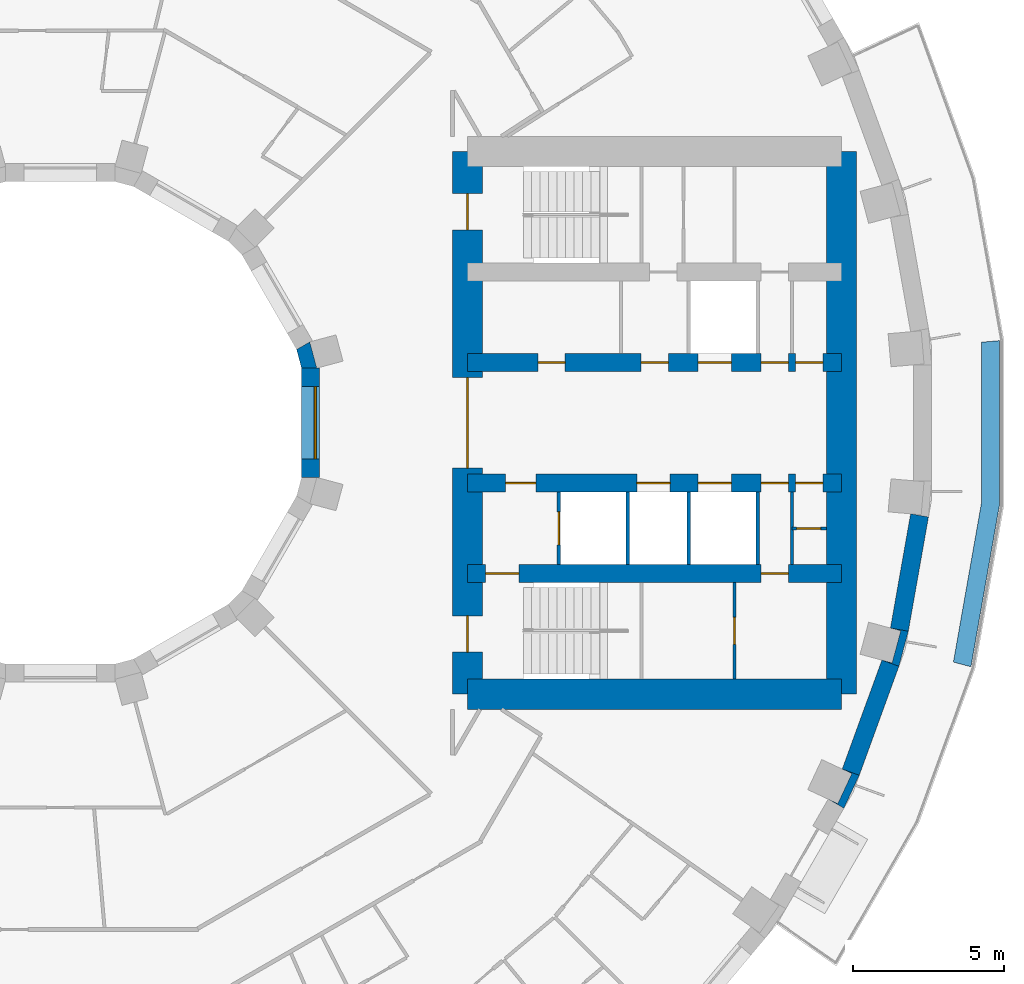
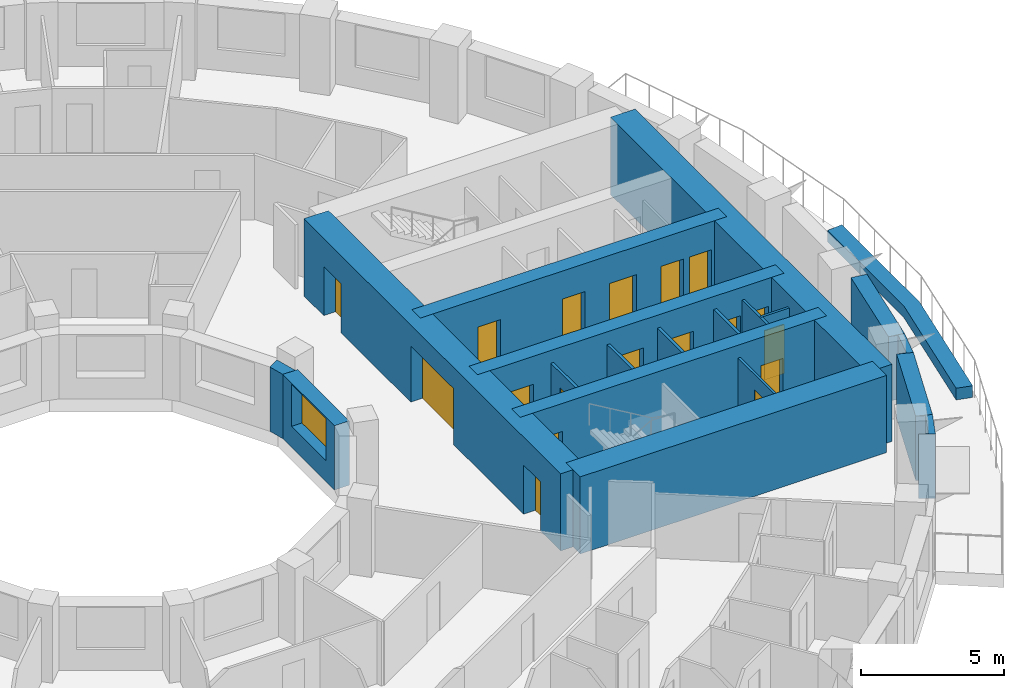
# One storey, part 7 of 14: 20 walls, 18 doors, 1 window, 19 openings.
"""IFC4 building model written with IfcOpenShell, lengths in metres."""

from ifc_helpers import new_model, si_unit, direction, frame, frame_2d, origin, place, context, subcontext, project, spatial, polyline, rectangle, outline, extrude, material, layer, layer_set, type_object, element, fill, save


model = new_model("IFC4")

# Units and contexts
model_context = context("Model", 3, precision=1e-05, world=origin(), true_north=direction((0.0, 1.0)))
body_context = subcontext(model_context, "Body", "Model", "MODEL_VIEW")
ifc_project = project(units=[si_unit("LENGTHUNIT", "METRE"), si_unit("AREAUNIT", "SQUARE_METRE"), si_unit("VOLUMEUNIT", "CUBIC_METRE"), si_unit("PLANEANGLEUNIT", "RADIAN"), si_unit("MASSUNIT", "GRAM", prefix="KILO")], contexts=[model_context])

# Site, building, storey
site_placement = place(None, origin())
site = spatial("IfcSite", under=ifc_project, at=site_placement, CompositionType="ELEMENT")
building_placement = place(site_placement, origin())
building = spatial("IfcBuilding", under=site, at=building_placement, Name="Saqina Gate Tower", CompositionType="ELEMENT")
storey_placement = place(building_placement, frame((0.0, 0.0, 46.10009765625)))
storey = spatial("IfcBuildingStorey", under=building, at=storey_placement, Name="L12", CompositionType="ELEMENT", Elevation=46.10009765625)

# Walls
ifc_material_1 = material(Name="Brick masonry (red)", Category="masonry")
wall_type_1 = type_object("IfcWallType", Name="BRICK PIER COPING RED", PredefinedType="SOLIDWALL", material=ifc_material_1)
wall_1_placement = place(storey_placement, origin())
element("IfcWall", 1, at=wall_1_placement, inside=storey, type_object=wall_type_1, Name="Pier cap L12 column 34", PredefinedType="SOLIDWALL", context=body_context, shape_type="SweptSolid", body=[
    extrude(outline(polyline([(26.48974609375, -11.687744140625), (25.92578125, -11.482666015625), (26.243408203125, -11.630615234375), (25.778564453125, -12.627685546875), (25.4609375, -12.4794921875), (25.980712890625, -12.779541015625), (26.48974609375, -11.687744140625)])), origin(), (0.0, 0.0, 1.0), 2.75),
])
wall_2_placement = place(storey_placement, origin())
element("IfcWall", 2, at=wall_2_placement, inside=storey, type_object=wall_type_1, Name="Pier cap L12 column 35", PredefinedType="SOLIDWALL", context=body_context, shape_type="SweptSolid", body=[
    extrude(outline(polyline([(28.11669921875, -6.910400390625), (27.52587890625, -6.80615234375), (27.864501953125, -6.896728515625), (27.57958984375, -7.95947265625), (27.2412109375, -7.86865234375), (27.80517578125, -8.073974609375), (28.11669921875, -6.910400390625)])), origin(), (0.0, 0.0, 1.0), 2.75),
])
ifc_material_2 = material(Name="Gypsum board on steel studs", Category="steel")
ifc_layer_1 = layer(ifc_material_2, 0.10009765625)
ifc_layer_set_1 = layer_set([ifc_layer_1], Name="CORE PARTITION")
wall_type_2 = type_object("IfcWallType", Name="CORE PARTITION", PredefinedType="PARTITIONING", material=ifc_layer_set_1)
wall_3_placement = place(storey_placement, frame((24.260009765625, -4.699951171875, 0.0), z_axis=(0.0, 0.0, 1.0), x_axis=(0.0, 1.0, 0.0)))
element("IfcWall", 3, at=wall_3_placement, inside=storey, type_object=wall_type_2, Name="L12-CP-E09", PredefinedType="PARTITIONING", context=body_context, shape_type="SweptSolid", body=[
    extrude(rectangle(XDim=2.39990234375, YDim=0.10009765625, at=frame_2d((1.199951171875, 0.0))), origin(), (0.0, 0.0, 1.0), 2.75),
])

# Wall, opening, door
wall_4_placement = place(storey_placement, frame((24.260009765625, -3.5, 0.0), z_axis=(0.0, 0.0, 1.0), x_axis=(1.0, 0.0, 0.0)))
wall_4 = element("IfcWall", 4, at=wall_4_placement, inside=storey, type_object=wall_type_2, Name="L12-CP-E10", PredefinedType="PARTITIONING", context=body_context, shape_type="SweptSolid", body=[
    extrude(rectangle(XDim=1.139892578125, YDim=0.10009765625, at=frame_2d((0.56982421875, 0.0))), origin(), (0.0, 0.0, 1.0), 2.75),
])
opening_1_placement = place(wall_4_placement, frame((0.14990234375, 0.0, 0.0)))
opening_1 = element("IfcOpeningElement", 5, at=opening_1_placement, cuts=wall_4, Name="Opening G03-D100", PredefinedType="OPENING", context=body_context, shape_type="SweptSolid", body=[
    extrude(rectangle(XDim=0.800048828125, YDim=2.10009765625, at=frame_2d((0.39990234375, 1.050048828125))), frame((0.0, 0.06201171875, 0.0), z_axis=(0.0, -1.0, 0.0), x_axis=(1.0, 0.0, 0.0)), (0.0, 0.0, 1.0), 0.1240234375),
])
ifc_material_3 = material(Name="Steel-framed fire door leaf, EI 60", Category="steel")
door_type_1 = type_object("IfcDoorType", Name="SERVICE ROOM DOOR 800", OperationType="SINGLE_SWING_LEFT", PredefinedType="DOOR", material=ifc_material_3)
door_1_placement = place(opening_1_placement, frame((0.800048828125, 0.0, 0.0), z_axis=(0.0, 0.0, 1.0), x_axis=(-1.0, 0.0, 0.0)))
door_1 = element("IfcDoor", 6, at=door_1_placement, inside=storey, type_object=door_type_1, Name="L12-CD-E11", OperationType="SINGLE_SWING_LEFT", OverallHeight=2.10009765625, OverallWidth=0.800048828125, PredefinedType="DOOR", context=body_context, shape_type="SweptSolid", body=[
    extrude(rectangle(XDim=0.800048828125, YDim=2.10009765625, at=frame_2d((0.39990234375, 1.050048828125))), frame((0.0, 0.02490234375, 0.0), z_axis=(0.0, -1.0, 0.0), x_axis=(1.0, 0.0, 0.0)), (0.0, 0.0, 1.0), 0.050048828125),
])
fill(opening_1, door_1)

wall_5_placement = place(storey_placement, frame((22.360107421875, -8.5, 0.0), z_axis=(0.0, 0.0, 1.0), x_axis=(0.0, 1.0, 0.0)))
wall_5 = element("IfcWall", 7, at=wall_5_placement, inside=storey, type_object=wall_type_2, Name="L12-CP-E15", PredefinedType="PARTITIONING", context=body_context, shape_type="SweptSolid", body=[
    extrude(rectangle(XDim=3.199951171875, YDim=0.10009765625, at=frame_2d((1.60009765625, 0.0))), origin(), (0.0, 0.0, 1.0), 2.75),
])
opening_2_placement = place(wall_5_placement, frame((1.14990234375, 0.0, 0.0)))
opening_2 = element("IfcOpeningElement", 8, at=opening_2_placement, cuts=wall_5, Name="Opening G03-D101", PredefinedType="OPENING", context=body_context, shape_type="SweptSolid", body=[
    extrude(rectangle(XDim=0.89990234375, YDim=2.10009765625, at=frame_2d((0.449951171875, 1.050048828125))), frame((0.0, 0.06201171875, 0.0), z_axis=(0.0, -1.0, 0.0), x_axis=(1.0, 0.0, 0.0)), (0.0, 0.0, 1.0), 0.1240234375),
])
ifc_material_4 = material(Name="Steel-framed fire door leaf, EI 60", Category="steel")
door_type_2 = type_object("IfcDoorType", Name="SERVICE ROOM DOOR 900", OperationType="SINGLE_SWING_LEFT", PredefinedType="DOOR", material=ifc_material_4)
door_2_placement = place(opening_2_placement, origin())
door_2 = element("IfcDoor", 9, at=door_2_placement, inside=storey, type_object=door_type_2, Name="L12-CD-E12", OperationType="SINGLE_SWING_LEFT", OverallHeight=2.10009765625, OverallWidth=0.89990234375, PredefinedType="DOOR", context=body_context, shape_type="SweptSolid", body=[
    extrude(rectangle(XDim=0.89990234375, YDim=2.10009765625, at=frame_2d((0.449951171875, 1.050048828125))), frame((0.0, 0.02490234375, 0.0), z_axis=(0.0, -1.0, 0.0), x_axis=(1.0, 0.0, 0.0)), (0.0, 0.0, 1.0), 0.050048828125),
])
fill(opening_2, door_2)

# Walls
ifc_material_5 = material(Name="Glazed ceramic tile", Category="ceramic")
ifc_layer_2 = layer(ifc_material_5, 0.60009765625)
ifc_layer_set_2 = layer_set([ifc_layer_2], Name="FW-TILE")
wall_type_3 = type_object("IfcWallType", Name="FW-TILE", PredefinedType="SOLIDWALL", material=ifc_layer_set_2)
wall_6_placement = place(storey_placement, frame((27.8212890625, -6.858154296875, 0.0), z_axis=(0.0, 0.0, 1.0), x_axis=(0.173687553279, 0.984800809218, 0.0)))
element("IfcWall", 10, at=wall_6_placement, inside=storey, type_object=wall_type_3, Name="Facade wall L12 facet 35", PredefinedType="SOLIDWALL", context=body_context, shape_type="SweptSolid", body=[
    extrude(rectangle(XDim=3.845703125, YDim=0.60009765625, at=frame_2d((1.9228515625, 0.0))), origin(), (0.0, 0.0, 1.0), 2.75),
])
ifc_material_6 = material(Name="Glazed ceramic tile (dark blue)", Category="ceramic")
ifc_layer_3 = layer(ifc_material_6, 0.60009765625)
ifc_layer_set_3 = layer_set([ifc_layer_3], Name="FW-TILE-CB")
wall_type_4 = type_object("IfcWallType", Name="FW-TILE-CB", PredefinedType="SOLIDWALL", material=ifc_layer_set_3)
wall_7_placement = place(storey_placement, frame((26.207763671875, -11.585205078125, 0.0), z_axis=(0.0, 0.0, 1.0), x_axis=(0.342028474173, 0.939689588564, 0.0)))
element("IfcWall", 11, at=wall_7_placement, inside=storey, type_object=wall_type_4, Name="Facade wall L12 facet 34", PredefinedType="SOLIDWALL", context=body_context, shape_type="SweptSolid", body=[
    extrude(rectangle(XDim=3.845947265625, YDim=0.60009765625, at=frame_2d((1.9228515625, 0.0))), origin(), (0.0, 0.0, 1.0), 2.75),
])

# Wall, opening, window
ifc_material_7 = material(Name="Glazed ceramic tile", Category="ceramic")
ifc_layer_4 = layer(ifc_material_7, 0.60009765625)
ifc_layer_set_4 = layer_set([ifc_layer_4], Name="IW-TILE")
wall_type_5 = type_object("IfcWallType", Name="IW-TILE", PredefinedType="SOLIDWALL", material=ifc_layer_set_4)
wall_8_placement = place(storey_placement, frame((8.300048828125, -1.8125, 0.0), z_axis=(0.0, 0.0, 1.0), x_axis=(0.0, 1.0, 0.0)))
wall_8 = element("IfcWall", 12, at=wall_8_placement, inside=storey, type_object=wall_type_5, Name="Well wall L12 facet 12", PredefinedType="SOLIDWALL", context=body_context, shape_type="SweptSolid", body=[
    extrude(rectangle(XDim=3.625, YDim=0.60009765625, at=frame_2d((1.8125, 0.0))), origin(), (0.0, 0.0, 1.0), 2.75),
])
opening_3_placement = place(wall_8_placement, frame((0.612548828125, 0.0, 0.89990234375)))
opening_3 = element("IfcOpeningElement", 13, at=opening_3_placement, cuts=wall_8, Name="Opening G03-W37", PredefinedType="OPENING", context=body_context, shape_type="SweptSolid", body=[
    extrude(rectangle(XDim=2.39990234375, YDim=1.800048828125, at=frame_2d((1.199951171875, 0.89990234375))), frame((0.0, 0.31201171875, 0.0), z_axis=(0.0, -1.0, 0.0), x_axis=(1.0, 0.0, 0.0)), (0.0, 0.0, 1.0), 0.6240234375),
])
ifc_material_8 = material(Name="Aluminium glazing", Category="aluminium")
window_type = type_object("IfcWindowType", Name="WN-W", PartitioningType="SINGLE_PANEL", PredefinedType="WINDOW", material=ifc_material_8)
window_placement = place(opening_3_placement, origin())
window = element("IfcWindow", 14, at=window_placement, inside=storey, type_object=window_type, Name="Well window L12 facet 12", OverallHeight=1.800048828125, OverallWidth=2.39990234375, PartitioningType="SINGLE_PANEL", PredefinedType="WINDOW", context=body_context, shape_type="SweptSolid", body=[
    extrude(rectangle(XDim=2.39990234375, YDim=1.800048828125, at=frame_2d((1.199951171875, 0.89990234375))), frame((0.0, -0.119873046875, 0.0), z_axis=(0.0, -1.0, 0.0), x_axis=(1.0, 0.0, 0.0)), (0.0, 0.0, 1.0), 0.06005859375),
])
fill(opening_3, window)

# Wall
ifc_material_9 = material(Name="Brick masonry (red)", Category="masonry")
ifc_layer_5 = layer(ifc_material_9, 0.60009765625)
ifc_layer_set_5 = layer_set([ifc_layer_5], Name="PL-PLANTER")
wall_type_6 = type_object("IfcWallType", Name="PL-PLANTER", PredefinedType="PARAPET", material=ifc_layer_set_5)
wall_9_placement = place(storey_placement, origin())
element("IfcWall", 15, at=wall_9_placement, inside=storey, type_object=wall_type_6, Name="Planter L12", PredefinedType="PARAPET", context=body_context, shape_type="SweptSolid", body=[
    extrude(outline(polyline([(30.193603515625, -8.09033203125), (31.1396484375, -2.724365234375), (31.1396484375, 2.724365234375), (30.53955078125, 2.671875), (30.53955078125, -2.671875), (29.61181640625, -7.934326171875), (30.193603515625, -8.09033203125)])), origin(), (0.0, 0.0, 1.0), 0.5),
])

# Wall, opening, door
ifc_material_10 = material(Name="Autoclaved aerated concrete block", Category="concrete")
ifc_layer_6 = layer(ifc_material_10, 0.1201171875)
ifc_layer_set_6 = layer_set([ifc_layer_6], Name="SHAFT PARTITION")
wall_type_7 = type_object("IfcWallType", Name="SHAFT PARTITION", PredefinedType="PARTITIONING", material=ifc_layer_set_6)
wall_10_placement = place(storey_placement, frame((16.530029296875, -4.699951171875, 0.0), z_axis=(0.0, 0.0, 1.0), x_axis=(0.0, 1.0, 0.0)))
wall_10 = element("IfcWall", 16, at=wall_10_placement, inside=storey, type_object=wall_type_7, Name="L12-CP-E05", PredefinedType="PARTITIONING", context=body_context, shape_type="SweptSolid", body=[
    extrude(rectangle(XDim=2.39990234375, YDim=0.1201171875, at=frame_2d((1.199951171875, 0.0))), origin(), (0.0, 0.0, 1.0), 2.75),
])
opening_4_placement = place(wall_10_placement, frame((0.64990234375, 0.0, 0.0)))
opening_4 = element("IfcOpeningElement", 17, at=opening_4_placement, cuts=wall_10, Name="Opening G03-LD2", PredefinedType="OPENING", context=body_context, shape_type="SweptSolid", body=[
    extrude(rectangle(XDim=1.10009765625, YDim=2.10009765625, at=frame_2d((0.550048828125, 1.050048828125))), frame((0.0, 0.072021484375, 0.0), z_axis=(0.0, -1.0, 0.0), x_axis=(1.0, 0.0, 0.0)), (0.0, 0.0, 1.0), 0.14404296875),
])
ifc_material_11 = material(Name="Stainless steel", Category="steel")
door_type_3 = type_object("IfcDoorType", Name="LANDING DOOR", OperationType="DOUBLE_DOOR_SLIDING", PredefinedType="DOOR", material=ifc_material_11)
door_3_placement = place(opening_4_placement, origin())
door_3 = element("IfcDoor", 18, at=door_3_placement, inside=storey, type_object=door_type_3, Name="LANDING DOOR FF1", OperationType="DOUBLE_DOOR_SLIDING", OverallHeight=2.10009765625, OverallWidth=1.10009765625, PredefinedType="DOOR", context=body_context, shape_type="SweptSolid", body=[
    extrude(rectangle(XDim=1.10009765625, YDim=2.10009765625, at=frame_2d((0.550048828125, 1.050048828125))), frame((0.0, 0.02490234375, 0.0), z_axis=(0.0, -1.0, 0.0), x_axis=(1.0, 0.0, 0.0)), (0.0, 0.0, 1.0), 0.050048828125),
])
fill(opening_4, door_3)

# Walls
for number, where, z_axis, x_axis, name in (
    (19, (18.81005859375, -4.699951171875, 0.0), (0.0, 0.0, 1.0), (0.0, 1.0, 0.0), "L12-CP-E06"),
    (20, (20.840087890625, -4.699951171875, 0.0), (0.0, 0.0, 1.0), (0.0, 1.0, 0.0), "L12-CP-E07"),
    (21, (23.1201171875, -4.699951171875, 0.0), (0.0, 0.0, 1.0), (0.0, 1.0, 0.0), "L12-CP-E08"),
):
    element("IfcWall", number, at=place(storey_placement, frame(where, z_axis=z_axis, x_axis=x_axis)), inside=storey, type_object=wall_type_7, Name=name, PredefinedType="PARTITIONING", context=body_context, shape_type="SweptSolid", body=[
        extrude(rectangle(XDim=2.39990234375, YDim=0.1201171875, at=frame_2d((1.199951171875, 0.0))), origin(), (0.0, 0.0, 1.0), 2.75),
    ])

# Wall, openings, doors
ifc_material_12 = material(Name="Concrete C70/85", Category="concrete")
ifc_layer_7 = layer(ifc_material_12, 0.60009765625)
ifc_layer_set_7 = layer_set([ifc_layer_7], Name="Concrete C70/85")
wall_type_8 = type_object("IfcWallType", Name="STR-CORE WALL-A-I", PredefinedType="SHEAR", material=ifc_layer_set_7)
wall_11_placement = place(storey_placement, frame((13.5, -5.0, 0.0), z_axis=(0.0, 0.0, 1.0), x_axis=(1.0, 0.0, 0.0)))
wall_11 = element("IfcWall", 22, at=wall_11_placement, inside=storey, type_object=wall_type_8, Name="CORE WALL L12 E-X2", PredefinedType="SHEAR", context=body_context, shape_type="SweptSolid", body=[
    extrude(rectangle(XDim=12.39990234375, YDim=0.60009765625, at=frame_2d((6.199951171875, 0.0))), origin(), (0.0, 0.0, 1.0), 3.2998046875),
])
opening_5_placement = place(wall_11_placement, frame((9.739990234375, 0.0, 0.0)))
opening_5 = element("IfcOpeningElement", 23, at=opening_5_placement, cuts=wall_11, Name="Opening G03-D102", PredefinedType="OPENING", context=body_context, shape_type="SweptSolid", body=[
    extrude(rectangle(XDim=0.89990234375, YDim=2.10009765625, at=frame_2d((0.449951171875, 1.050048828125))), frame((0.0, 0.31201171875, 0.0), z_axis=(0.0, -1.0, 0.0), x_axis=(1.0, 0.0, 0.0)), (0.0, 0.0, 1.0), 0.6240234375),
])
opening_6_placement = place(wall_11_placement, frame((0.60009765625, 0.0, 0.0)))
opening_6 = element("IfcOpeningElement", 24, at=opening_6_placement, cuts=wall_11, Name="Opening G03-D103", PredefinedType="OPENING", context=body_context, shape_type="SweptSolid", body=[
    extrude(rectangle(XDim=1.10009765625, YDim=2.10009765625, at=frame_2d((0.550048828125, 1.050048828125))), frame((0.0, 0.31201171875, 0.0), z_axis=(0.0, -1.0, 0.0), x_axis=(1.0, 0.0, 0.0)), (0.0, 0.0, 1.0), 0.6240234375),
])
ifc_material_13 = material(Name="Steel", Category="steel")
door_type_4 = type_object("IfcDoorType", Name="FIRE LOBBY DOOR EI 60 WIDE", OperationType="SINGLE_SWING_LEFT", PredefinedType="DOOR", material=ifc_material_13)
door_4_placement = place(opening_6_placement, frame((1.10009765625, 0.0, 0.0), z_axis=(0.0, 0.0, 1.0), x_axis=(-1.0, 0.0, 0.0)))
door_4 = element("IfcDoor", 25, at=door_4_placement, inside=storey, type_object=door_type_4, Name="L12-CD-E14", OperationType="SINGLE_SWING_RIGHT", OverallHeight=2.10009765625, OverallWidth=1.10009765625, PredefinedType="DOOR", context=body_context, shape_type="SweptSolid", body=[
    extrude(rectangle(XDim=1.10009765625, YDim=2.10009765625, at=frame_2d((0.550048828125, 1.050048828125))), frame((0.0, 0.02490234375, 0.0), z_axis=(0.0, -1.0, 0.0), x_axis=(1.0, 0.0, 0.0)), (0.0, 0.0, 1.0), 0.050048828125),
])
fill(opening_6, door_4)
door_5_placement = place(opening_5_placement, frame((0.89990234375, 0.0, 0.0), z_axis=(0.0, 0.0, 1.0), x_axis=(-1.0, 0.0, 0.0)))
door_5 = element("IfcDoor", 26, at=door_5_placement, inside=storey, type_object=door_type_2, Name="L12-CD-E13", OperationType="SINGLE_SWING_LEFT", OverallHeight=2.10009765625, OverallWidth=0.89990234375, PredefinedType="DOOR", context=body_context, shape_type="SweptSolid", body=[
    extrude(rectangle(XDim=0.89990234375, YDim=2.10009765625, at=frame_2d((0.449951171875, 1.050048828125))), frame((0.0, 0.02490234375, 0.0), z_axis=(0.0, -1.0, 0.0), x_axis=(1.0, 0.0, 0.0)), (0.0, 0.0, 1.0), 0.050048828125),
])
fill(opening_5, door_5)

wall_12_placement = place(storey_placement, frame((13.5, 2.0, 0.0), z_axis=(0.0, 0.0, 1.0), x_axis=(1.0, 0.0, 0.0)))
wall_12 = element("IfcWall", 27, at=wall_12_placement, inside=storey, type_object=wall_type_8, Name="CORE WALL L12 E-L1", PredefinedType="SHEAR", context=body_context, shape_type="SweptSolid", body=[
    extrude(rectangle(XDim=12.39990234375, YDim=0.60009765625, at=frame_2d((6.199951171875, 0.0))), origin(), (0.0, 0.0, 1.0), 3.2998046875),
])
opening_7_placement = place(wall_12_placement, frame((7.64990234375, 0.0, 0.0)))
opening_7 = element("IfcOpeningElement", 28, at=opening_7_placement, cuts=wall_12, Name="Opening G03-LD1", PredefinedType="OPENING", context=body_context, shape_type="SweptSolid", body=[
    extrude(rectangle(XDim=1.10009765625, YDim=2.10009765625, at=frame_2d((0.550048828125, 1.050048828125))), frame((0.0, 0.31201171875, 0.0), z_axis=(0.0, -1.0, 0.0), x_axis=(1.0, 0.0, 0.0)), (0.0, 0.0, 1.0), 0.6240234375),
])
opening_8_placement = place(wall_12_placement, frame((2.34130859375, 0.0, 0.0)))
opening_8 = element("IfcOpeningElement", 29, at=opening_8_placement, cuts=wall_12, Name="Opening G03-D90", PredefinedType="OPENING", context=body_context, shape_type="SweptSolid", body=[
    extrude(rectangle(XDim=0.89990234375, YDim=2.10009765625, at=frame_2d((0.449951171875, 1.050048828125))), frame((0.0, 0.31201171875, 0.0), z_axis=(0.0, -1.0, 0.0), x_axis=(1.0, 0.0, 0.0)), (0.0, 0.0, 1.0), 0.6240234375),
])
opening_9_placement = place(wall_12_placement, frame((5.761474609375, 0.0, 0.0)))
opening_9 = element("IfcOpeningElement", 30, at=opening_9_placement, cuts=wall_12, Name="Opening G03-D91", PredefinedType="OPENING", context=body_context, shape_type="SweptSolid", body=[
    extrude(rectangle(XDim=0.89990234375, YDim=2.10009765625, at=frame_2d((0.449951171875, 1.050048828125))), frame((0.0, 0.31201171875, 0.0), z_axis=(0.0, -1.0, 0.0), x_axis=(1.0, 0.0, 0.0)), (0.0, 0.0, 1.0), 0.6240234375),
])
opening_10_placement = place(wall_12_placement, frame((9.739990234375, 0.0, 0.0)))
opening_10 = element("IfcOpeningElement", 31, at=opening_10_placement, cuts=wall_12, Name="Opening G03-D92", PredefinedType="OPENING", context=body_context, shape_type="SweptSolid", body=[
    extrude(rectangle(XDim=0.89990234375, YDim=2.10009765625, at=frame_2d((0.449951171875, 1.050048828125))), frame((0.0, 0.31201171875, 0.0), z_axis=(0.0, -1.0, 0.0), x_axis=(1.0, 0.0, 0.0)), (0.0, 0.0, 1.0), 0.6240234375),
])
opening_11_placement = place(wall_12_placement, frame((10.8798828125, 0.0, 0.0)))
opening_11 = element("IfcOpeningElement", 32, at=opening_11_placement, cuts=wall_12, Name="Opening G03-D93", PredefinedType="OPENING", context=body_context, shape_type="SweptSolid", body=[
    extrude(rectangle(XDim=0.89990234375, YDim=2.10009765625, at=frame_2d((0.449951171875, 1.050048828125))), frame((0.0, 0.31201171875, 0.0), z_axis=(0.0, -1.0, 0.0), x_axis=(1.0, 0.0, 0.0)), (0.0, 0.0, 1.0), 0.6240234375),
])
door_6_placement = place(opening_7_placement, origin())
door_6 = element("IfcDoor", 33, at=door_6_placement, inside=storey, type_object=door_type_3, Name="LANDING DOOR LR1", OperationType="DOUBLE_DOOR_SLIDING", OverallHeight=2.10009765625, OverallWidth=1.10009765625, PredefinedType="DOOR", context=body_context, shape_type="SweptSolid", body=[
    extrude(rectangle(XDim=1.10009765625, YDim=2.10009765625, at=frame_2d((0.550048828125, 1.050048828125))), frame((0.0, 0.02490234375, 0.0), z_axis=(0.0, -1.0, 0.0), x_axis=(1.0, 0.0, 0.0)), (0.0, 0.0, 1.0), 0.050048828125),
])
fill(opening_7, door_6)
door_7_placement = place(opening_8_placement, origin())
door_7 = element("IfcDoor", 34, at=door_7_placement, inside=storey, type_object=door_type_2, Name="L12-CD-E01", OperationType="SINGLE_SWING_LEFT", OverallHeight=2.10009765625, OverallWidth=0.89990234375, PredefinedType="DOOR", context=body_context, shape_type="SweptSolid", body=[
    extrude(rectangle(XDim=0.89990234375, YDim=2.10009765625, at=frame_2d((0.449951171875, 1.050048828125))), frame((0.0, 0.02490234375, 0.0), z_axis=(0.0, -1.0, 0.0), x_axis=(1.0, 0.0, 0.0)), (0.0, 0.0, 1.0), 0.050048828125),
])
fill(opening_8, door_7)
door_8_placement = place(opening_9_placement, origin())
door_8 = element("IfcDoor", 35, at=door_8_placement, inside=storey, type_object=door_type_2, Name="L12-CD-E02", OperationType="SINGLE_SWING_RIGHT", OverallHeight=2.10009765625, OverallWidth=0.89990234375, PredefinedType="DOOR", context=body_context, shape_type="SweptSolid", body=[
    extrude(rectangle(XDim=0.89990234375, YDim=2.10009765625, at=frame_2d((0.449951171875, 1.050048828125))), frame((0.0, 0.02490234375, 0.0), z_axis=(0.0, -1.0, 0.0), x_axis=(1.0, 0.0, 0.0)), (0.0, 0.0, 1.0), 0.050048828125),
])
fill(opening_9, door_8)
door_9_placement = place(opening_10_placement, origin())
door_9 = element("IfcDoor", 36, at=door_9_placement, inside=storey, type_object=door_type_2, Name="L12-CD-E03", OperationType="SINGLE_SWING_LEFT", OverallHeight=2.10009765625, OverallWidth=0.89990234375, PredefinedType="DOOR", context=body_context, shape_type="SweptSolid", body=[
    extrude(rectangle(XDim=0.89990234375, YDim=2.10009765625, at=frame_2d((0.449951171875, 1.050048828125))), frame((0.0, 0.02490234375, 0.0), z_axis=(0.0, -1.0, 0.0), x_axis=(1.0, 0.0, 0.0)), (0.0, 0.0, 1.0), 0.050048828125),
])
fill(opening_10, door_9)
door_10_placement = place(opening_11_placement, origin())
door_10 = element("IfcDoor", 37, at=door_10_placement, inside=storey, type_object=door_type_2, Name="L12-CD-E04", OperationType="SINGLE_SWING_RIGHT", OverallHeight=2.10009765625, OverallWidth=0.89990234375, PredefinedType="DOOR", context=body_context, shape_type="SweptSolid", body=[
    extrude(rectangle(XDim=0.89990234375, YDim=2.10009765625, at=frame_2d((0.449951171875, 1.050048828125))), frame((0.0, 0.02490234375, 0.0), z_axis=(0.0, -1.0, 0.0), x_axis=(1.0, 0.0, 0.0)), (0.0, 0.0, 1.0), 0.050048828125),
])
fill(opening_11, door_10)

wall_13_placement = place(storey_placement, frame((13.5, -2.0, 0.0), z_axis=(0.0, 0.0, 1.0), x_axis=(1.0, 0.0, 0.0)))
wall_13 = element("IfcWall", 38, at=wall_13_placement, inside=storey, type_object=wall_type_8, Name="CORE WALL L12 E-L2", PredefinedType="SHEAR", context=body_context, shape_type="SweptSolid", body=[
    extrude(rectangle(XDim=12.39990234375, YDim=0.60009765625, at=frame_2d((6.199951171875, 0.0))), origin(), (0.0, 0.0, 1.0), 3.2998046875),
])
opening_12_placement = place(wall_13_placement, frame((5.6201171875, 0.0, 0.0)))
opening_12 = element("IfcOpeningElement", 39, at=opening_12_placement, cuts=wall_13, Name="Opening G03-LD3", PredefinedType="OPENING", context=body_context, shape_type="SweptSolid", body=[
    extrude(rectangle(XDim=1.10009765625, YDim=2.10009765625, at=frame_2d((0.550048828125, 1.050048828125))), frame((0.0, 0.31201171875, 0.0), z_axis=(0.0, -1.0, 0.0), x_axis=(1.0, 0.0, 0.0)), (0.0, 0.0, 1.0), 0.6240234375),
])
opening_13_placement = place(wall_13_placement, frame((7.64990234375, 0.0, 0.0)))
opening_13 = element("IfcOpeningElement", 40, at=opening_13_placement, cuts=wall_13, Name="Opening G03-LD4", PredefinedType="OPENING", context=body_context, shape_type="SweptSolid", body=[
    extrude(rectangle(XDim=1.10009765625, YDim=2.10009765625, at=frame_2d((0.550048828125, 1.050048828125))), frame((0.0, 0.31201171875, 0.0), z_axis=(0.0, -1.0, 0.0), x_axis=(1.0, 0.0, 0.0)), (0.0, 0.0, 1.0), 0.6240234375),
])
opening_14_placement = place(wall_13_placement, frame((1.264892578125, 0.0, 0.0)))
opening_14 = element("IfcOpeningElement", 41, at=opening_14_placement, cuts=wall_13, Name="Opening G03-D94", PredefinedType="OPENING", context=body_context, shape_type="SweptSolid", body=[
    extrude(rectangle(XDim=1.0, YDim=2.10009765625, at=frame_2d((0.5, 1.050048828125))), frame((0.0, 0.31201171875, 0.0), z_axis=(0.0, -1.0, 0.0), x_axis=(1.0, 0.0, 0.0)), (0.0, 0.0, 1.0), 0.6240234375),
])
opening_15_placement = place(wall_13_placement, frame((9.739990234375, 0.0, 0.0)))
opening_15 = element("IfcOpeningElement", 42, at=opening_15_placement, cuts=wall_13, Name="Opening G03-D95", PredefinedType="OPENING", context=body_context, shape_type="SweptSolid", body=[
    extrude(rectangle(XDim=0.89990234375, YDim=2.10009765625, at=frame_2d((0.449951171875, 1.050048828125))), frame((0.0, 0.31201171875, 0.0), z_axis=(0.0, -1.0, 0.0), x_axis=(1.0, 0.0, 0.0)), (0.0, 0.0, 1.0), 0.6240234375),
])
opening_16_placement = place(wall_13_placement, frame((10.8798828125, 0.0, 0.0)))
opening_16 = element("IfcOpeningElement", 43, at=opening_16_placement, cuts=wall_13, Name="Opening G03-D96", PredefinedType="OPENING", context=body_context, shape_type="SweptSolid", body=[
    extrude(rectangle(XDim=0.89990234375, YDim=2.10009765625, at=frame_2d((0.449951171875, 1.050048828125))), frame((0.0, 0.31201171875, 0.0), z_axis=(0.0, -1.0, 0.0), x_axis=(1.0, 0.0, 0.0)), (0.0, 0.0, 1.0), 0.6240234375),
])
ifc_material_14 = material(Name="Steel", Category="steel")
door_type_5 = type_object("IfcDoorType", Name="FIRE LOBBY DOOR EI 60", OperationType="SINGLE_SWING_LEFT", PredefinedType="DOOR", material=ifc_material_14)
door_11_placement = place(opening_14_placement, origin())
door_11 = element("IfcDoor", 44, at=door_11_placement, inside=storey, type_object=door_type_5, Name="L12-CD-E05", OperationType="SINGLE_SWING_LEFT", OverallHeight=2.10009765625, OverallWidth=1.0, PredefinedType="DOOR", context=body_context, shape_type="SweptSolid", body=[
    extrude(rectangle(XDim=1.0, YDim=2.10009765625, at=frame_2d((0.5, 1.050048828125))), frame((0.0, 0.02490234375, 0.0), z_axis=(0.0, -1.0, 0.0), x_axis=(1.0, 0.0, 0.0)), (0.0, 0.0, 1.0), 0.050048828125),
])
fill(opening_14, door_11)
door_12_placement = place(opening_12_placement, origin())
door_12 = element("IfcDoor", 45, at=door_12_placement, inside=storey, type_object=door_type_3, Name="LANDING DOOR LR3", OperationType="DOUBLE_DOOR_SLIDING", OverallHeight=2.10009765625, OverallWidth=1.10009765625, PredefinedType="DOOR", context=body_context, shape_type="SweptSolid", body=[
    extrude(rectangle(XDim=1.10009765625, YDim=2.10009765625, at=frame_2d((0.550048828125, 1.050048828125))), frame((0.0, 0.02490234375, 0.0), z_axis=(0.0, -1.0, 0.0), x_axis=(1.0, 0.0, 0.0)), (0.0, 0.0, 1.0), 0.050048828125),
])
fill(opening_12, door_12)
door_13_placement = place(opening_13_placement, origin())
door_13 = element("IfcDoor", 46, at=door_13_placement, inside=storey, type_object=door_type_3, Name="LANDING DOOR LR2", OperationType="DOUBLE_DOOR_SLIDING", OverallHeight=2.10009765625, OverallWidth=1.10009765625, PredefinedType="DOOR", context=body_context, shape_type="SweptSolid", body=[
    extrude(rectangle(XDim=1.10009765625, YDim=2.10009765625, at=frame_2d((0.550048828125, 1.050048828125))), frame((0.0, 0.02490234375, 0.0), z_axis=(0.0, -1.0, 0.0), x_axis=(1.0, 0.0, 0.0)), (0.0, 0.0, 1.0), 0.050048828125),
])
fill(opening_13, door_13)
door_14_placement = place(opening_15_placement, frame((0.89990234375, 0.0, 0.0), z_axis=(0.0, 0.0, 1.0), x_axis=(-1.0, 0.0, 0.0)))
door_14 = element("IfcDoor", 47, at=door_14_placement, inside=storey, type_object=door_type_2, Name="L12-CD-E06", OperationType="SINGLE_SWING_RIGHT", OverallHeight=2.10009765625, OverallWidth=0.89990234375, PredefinedType="DOOR", context=body_context, shape_type="SweptSolid", body=[
    extrude(rectangle(XDim=0.89990234375, YDim=2.10009765625, at=frame_2d((0.449951171875, 1.050048828125))), frame((0.0, 0.02490234375, 0.0), z_axis=(0.0, -1.0, 0.0), x_axis=(1.0, 0.0, 0.0)), (0.0, 0.0, 1.0), 0.050048828125),
])
fill(opening_15, door_14)
door_15_placement = place(opening_16_placement, frame((0.89990234375, 0.0, 0.0), z_axis=(0.0, 0.0, 1.0), x_axis=(-1.0, 0.0, 0.0)))
door_15 = element("IfcDoor", 48, at=door_15_placement, inside=storey, type_object=door_type_2, Name="L12-CD-E07", OperationType="SINGLE_SWING_LEFT", OverallHeight=2.10009765625, OverallWidth=0.89990234375, PredefinedType="DOOR", context=body_context, shape_type="SweptSolid", body=[
    extrude(rectangle(XDim=0.89990234375, YDim=2.10009765625, at=frame_2d((0.449951171875, 1.050048828125))), frame((0.0, 0.02490234375, 0.0), z_axis=(0.0, -1.0, 0.0), x_axis=(1.0, 0.0, 0.0)), (0.0, 0.0, 1.0), 0.050048828125),
])
fill(opening_16, door_15)

ifc_material_15 = material(Name="Concrete C70/85", Category="concrete")
ifc_layer_8 = layer(ifc_material_15, 1.0)
ifc_layer_set_8 = layer_set([ifc_layer_8], Name="Concrete C70/85")
wall_type_9 = type_object("IfcWallType", Name="STR-CORE WALL-A-O", PredefinedType="SHEAR", material=ifc_layer_set_8)
wall_14_placement = place(storey_placement, frame((13.5, -9.0, 0.0), z_axis=(0.0, 0.0, 1.0), x_axis=(0.0, 1.0, 0.0)))
wall_14 = element("IfcWall", 49, at=wall_14_placement, inside=storey, type_object=wall_type_9, Name="CORE WALL L12 E-W1", PredefinedType="SHEAR", context=body_context, shape_type="SweptSolid", body=[
    extrude(rectangle(XDim=18.0, YDim=1.0, at=frame_2d((9.0, 0.0))), origin(), (0.0, 0.0, 1.0), 3.2998046875),
])
opening_17_placement = place(wall_14_placement, frame((15.39990234375, 0.0, 0.0)))
opening_17 = element("IfcOpeningElement", 50, at=opening_17_placement, cuts=wall_14, Name="Opening G03-D104", PredefinedType="OPENING", context=body_context, shape_type="SweptSolid", body=[
    extrude(rectangle(XDim=1.199951171875, YDim=2.10009765625, at=frame_2d((0.60009765625, 1.050048828125))), frame((0.0, 0.511962890625, 0.0), z_axis=(0.0, -1.0, 0.0), x_axis=(1.0, 0.0, 0.0)), (0.0, 0.0, 1.0), 1.02392578125),
])
opening_18_placement = place(wall_14_placement, frame((1.39990234375, 0.0, 0.0)))
opening_18 = element("IfcOpeningElement", 51, at=opening_18_placement, cuts=wall_14, Name="Opening G03-D105", PredefinedType="OPENING", context=body_context, shape_type="SweptSolid", body=[
    extrude(rectangle(XDim=1.199951171875, YDim=2.10009765625, at=frame_2d((0.60009765625, 1.050048828125))), frame((0.0, 0.511962890625, 0.0), z_axis=(0.0, -1.0, 0.0), x_axis=(1.0, 0.0, 0.0)), (0.0, 0.0, 1.0), 1.02392578125),
])
opening_19_placement = place(wall_14_placement, frame((7.5, 0.0, 0.0)))
opening_19 = element("IfcOpeningElement", 52, at=opening_19_placement, cuts=wall_14, Name="Opening G03-D106", PredefinedType="OPENING", context=body_context, shape_type="SweptSolid", body=[
    extrude(rectangle(XDim=3.0, YDim=2.39990234375, at=frame_2d((1.5, 1.199951171875))), frame((0.0, 0.511962890625, 0.0), z_axis=(0.0, -1.0, 0.0), x_axis=(1.0, 0.0, 0.0)), (0.0, 0.0, 1.0), 1.02392578125),
])
ifc_material_16 = material(Name="Steel", Category="steel")
door_type_6 = type_object("IfcDoorType", Name="FIRE DOOR EI 60", OperationType="SINGLE_SWING_LEFT", PredefinedType="DOOR", material=ifc_material_16)
door_16_placement = place(opening_17_placement, frame((1.199951171875, 0.0, 0.0), z_axis=(0.0, 0.0, 1.0), x_axis=(-1.0, 0.0, 0.0)))
door_16 = element("IfcDoor", 53, at=door_16_placement, inside=storey, type_object=door_type_6, Name="L12-CD-E15", OperationType="SINGLE_SWING_LEFT", OverallHeight=2.10009765625, OverallWidth=1.199951171875, PredefinedType="DOOR", context=body_context, shape_type="SweptSolid", body=[
    extrude(rectangle(XDim=1.199951171875, YDim=2.10009765625, at=frame_2d((0.60009765625, 1.050048828125))), frame((0.0, 0.02490234375, 0.0), z_axis=(0.0, -1.0, 0.0), x_axis=(1.0, 0.0, 0.0)), (0.0, 0.0, 1.0), 0.050048828125),
])
fill(opening_17, door_16)
door_17_placement = place(opening_18_placement, frame((1.199951171875, 0.0, 0.0), z_axis=(0.0, 0.0, 1.0), x_axis=(-1.0, 0.0, 0.0)))
door_17 = element("IfcDoor", 54, at=door_17_placement, inside=storey, type_object=door_type_6, Name="L12-CD-E16", OperationType="SINGLE_SWING_RIGHT", OverallHeight=2.10009765625, OverallWidth=1.199951171875, PredefinedType="DOOR", context=body_context, shape_type="SweptSolid", body=[
    extrude(rectangle(XDim=1.199951171875, YDim=2.10009765625, at=frame_2d((0.60009765625, 1.050048828125))), frame((0.0, 0.02490234375, 0.0), z_axis=(0.0, -1.0, 0.0), x_axis=(1.0, 0.0, 0.0)), (0.0, 0.0, 1.0), 0.050048828125),
])
fill(opening_18, door_17)
ifc_material_17 = material(Name="Steel and fire-resisting glass", Category="steel")
door_type_7 = type_object("IfcDoorType", Name="LOBBY SCREEN DOOR", OperationType="DOUBLE_DOOR_SLIDING", PredefinedType="DOOR", material=ifc_material_17)
door_18_placement = place(opening_19_placement, origin())
door_18 = element("IfcDoor", 55, at=door_18_placement, inside=storey, type_object=door_type_7, Name="L12-CD-E17", OperationType="DOUBLE_DOOR_SLIDING", OverallHeight=2.39990234375, OverallWidth=3.0, PredefinedType="DOOR", context=body_context, shape_type="SweptSolid", body=[
    extrude(rectangle(XDim=3.0, YDim=2.39990234375, at=frame_2d((1.5, 1.199951171875))), frame((0.0, 0.02490234375, 0.0), z_axis=(0.0, -1.0, 0.0), x_axis=(1.0, 0.0, 0.0)), (0.0, 0.0, 1.0), 0.050048828125),
])
fill(opening_19, door_18)

# Walls
wall_15_placement = place(storey_placement, frame((25.89990234375, -9.0, 0.0), z_axis=(0.0, 0.0, 1.0), x_axis=(0.0, 1.0, 0.0)))
element("IfcWall", 56, at=wall_15_placement, inside=storey, type_object=wall_type_9, Name="CORE WALL L12 E-W2", PredefinedType="SHEAR", context=body_context, shape_type="SweptSolid", body=[
    extrude(rectangle(XDim=18.0, YDim=1.0, at=frame_2d((9.0, 0.0))), origin(), (0.0, 0.0, 1.0), 3.2998046875),
])
wall_16_placement = place(storey_placement, frame((13.5, -9.0, 0.0), z_axis=(0.0, 0.0, 1.0), x_axis=(1.0, 0.0, 0.0)))
element("IfcWall", 57, at=wall_16_placement, inside=storey, type_object=wall_type_9, Name="CORE WALL L12 E-SE", PredefinedType="SHEAR", context=body_context, shape_type="SweptSolid", body=[
    extrude(rectangle(XDim=12.39990234375, YDim=1.0, at=frame_2d((6.199951171875, 0.0))), origin(), (0.0, 0.0, 1.0), 3.2998046875),
])
ifc_material_18 = material(Name="Glazed ceramic tile", Category="ceramic")
wall_type_10 = type_object("IfcWallType", Name="TILE PIER COPING", PredefinedType="SOLIDWALL", material=ifc_material_18)
wall_17_placement = place(storey_placement, origin())
element("IfcWall", 58, at=wall_17_placement, inside=storey, type_object=wall_type_10, Name="Well pier cap L12 column 1", PredefinedType="SOLIDWALL", context=body_context, shape_type="SweptSolid", body=[
    extrude(outline(polyline([(8.27001953125, 2.681884765625), (7.83447265625, 2.430419921875), (8.0, 1.8125), (8.502685546875, 1.8125), (8.27001953125, 2.681884765625)])), origin(), (0.0, 0.0, 1.0), 2.75),
])

save(model, "model.ifc")
